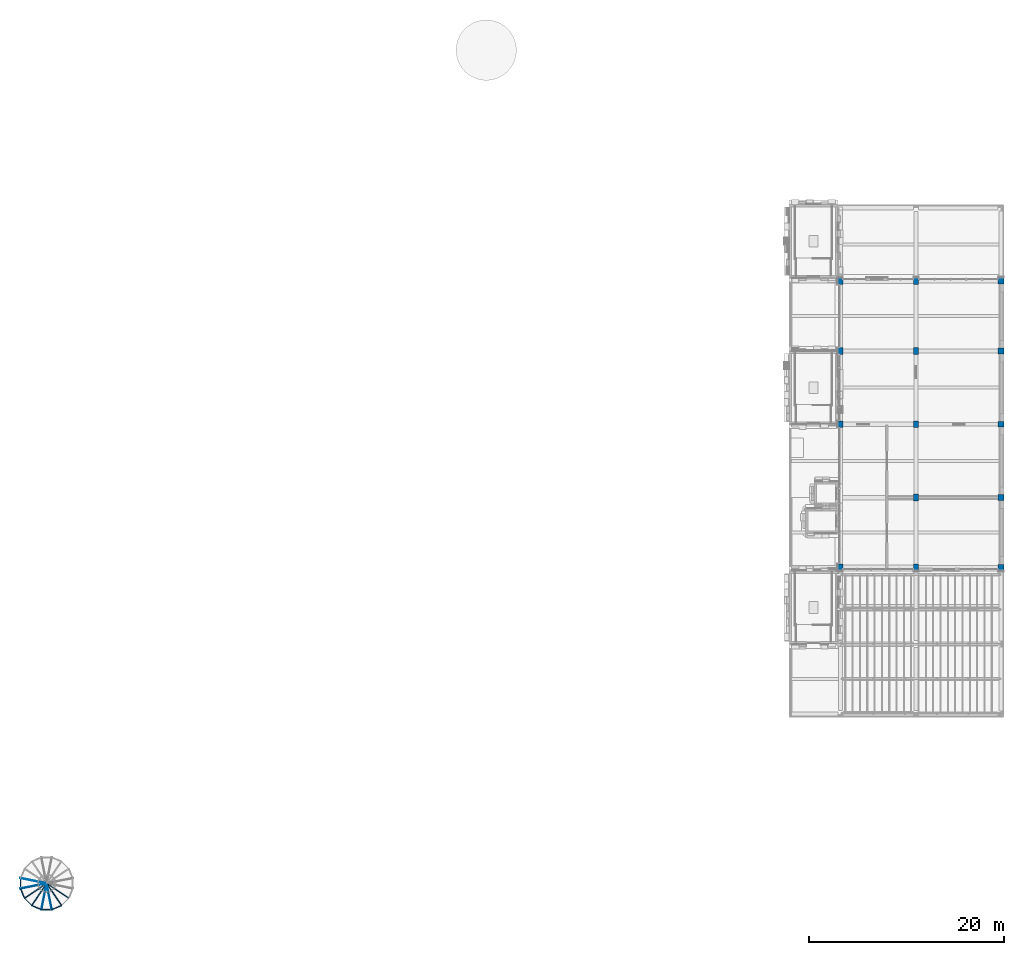
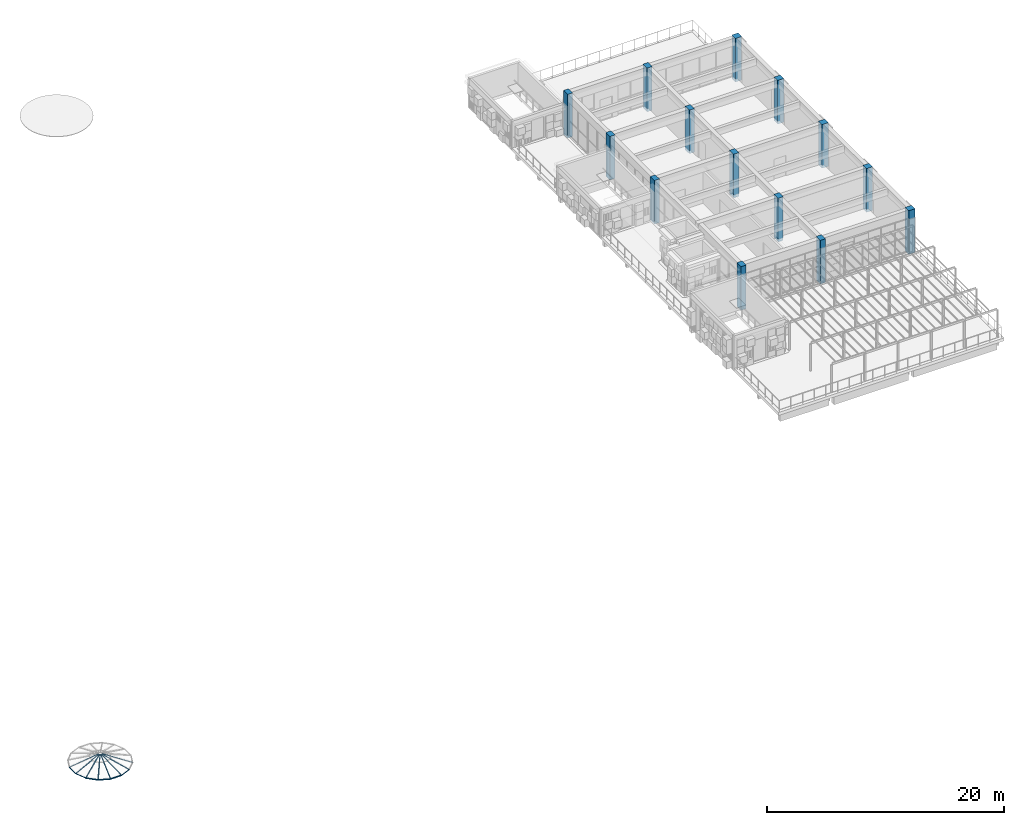
# One storey, part 1 of 26: 20 members, 14 columns.
"""IFC4 building model written with IfcOpenShell, lengths in metres."""

from ifc_helpers import new_model, si_unit, direction, frame, origin, origin_2d, place, context, subcontext, project, spatial, rectangle, hollow_rectangle, hollow_circle, extrude, material, material_profile, profile_set, type_object, element, save


model = new_model("IFC4")

# Units and contexts
model_context = context("Model", 3, precision=1e-05, world=origin(), true_north=direction((0.0, 1.0)))
body_context = subcontext(model_context, "Body", "Model", "MODEL_VIEW")
ifc_project = project(units=[si_unit("LENGTHUNIT", "METRE"), si_unit("AREAUNIT", "SQUARE_METRE"), si_unit("VOLUMEUNIT", "CUBIC_METRE"), si_unit("PLANEANGLEUNIT", "RADIAN"), si_unit("MASSUNIT", "GRAM", prefix="KILO")], contexts=[model_context])

# Site, building, storey
site_placement = place(None, origin())
site = spatial("IfcSite", under=ifc_project, at=site_placement, CompositionType="ELEMENT")
building_placement = place(site_placement, origin())
building = spatial("IfcBuilding", under=site, at=building_placement, Name="Sun Court Science Centre", CompositionType="ELEMENT")
storey_placement = place(building_placement, frame((0.0, 0.0, 29.25)))
storey = spatial("IfcBuildingStorey", under=building, at=storey_placement, Name="L06", CompositionType="ELEMENT", Elevation=29.25)

# Columns
ifc_material_1 = material(Name="Concrete C30/37", Category="concrete")
ifc_material_profile_1 = material_profile(ifc_material_1, rectangle(XDim=0.5, YDim=0.699951171875, at=origin_2d()), Name="RC 500x700")
ifc_profile_set_1 = profile_set([ifc_material_profile_1], Name="Concrete C30/37")
column_type_1 = type_object("IfcColumnType", Name="RC column 500x700", PredefinedType="COLUMN", material=ifc_profile_set_1)
for number, where, z_axis, x_axis, name in (
    (1, (87.25, 43.85009765625, -0.300048828125), (0.0, 0.0, 1.0), (1.0, 0.0, 0.0), "Column 14J L06"),
    (2, (87.25, 58.5, -0.300048828125), (0.0, 0.0, 1.0), (1.0, 0.0, 0.0), "Column 14P L06"),
    (3, (87.25, 66.0, -0.300048828125), (0.0, 0.0, 1.0), (1.0, 0.0, 0.0), "Column 14R L06"),
    (4, (87.25, 73.14990234375, -0.300048828125), (0.0, 0.0, 1.0), (1.0, 0.0, 0.0), "Column 14U L06"),
    (5, (95.0, 43.85009765625, -0.300048828125), (0.0, 0.0, 1.0), (1.0, 0.0, 0.0), "Column 15J L06"),
    (6, (95.0, 51.0, -0.300048828125), (0.0, 0.0, 1.0), (1.0, 0.0, 0.0), "Column 15M L06"),
    (7, (95.0, 58.5, -0.300048828125), (0.0, 0.0, 1.0), (1.0, 0.0, 0.0), "Column 15P L06"),
    (8, (95.0, 66.0, -0.300048828125), (0.0, 0.0, 1.0), (1.0, 0.0, 0.0), "Column 15R L06"),
    (9, (95.0, 73.14990234375, -0.300048828125), (0.0, 0.0, 1.0), (1.0, 0.0, 0.0), "Column 15U L06"),
):
    element("IfcColumn", number, at=place(storey_placement, frame(where, z_axis=z_axis, x_axis=x_axis)), inside=storey, type_object=column_type_1, Name=name, PredefinedType="COLUMN", context=body_context, shape_type="SweptSolid", body=[
        extrude(rectangle(XDim=0.5, YDim=0.699951171875, at=origin_2d()), origin(), (0.0, 0.0, 1.0), 4.5),
    ])
ifc_material_2 = material(Name="Concrete C30/37", Category="concrete")
ifc_material_profile_2 = material_profile(ifc_material_2, rectangle(XDim=0.60009765625, YDim=0.60009765625, at=origin_2d()), Name="RC 600x600")
ifc_profile_set_2 = profile_set([ifc_material_profile_2], Name="Concrete C30/37")
column_type_2 = type_object("IfcColumnType", Name="RC column 600x600", PredefinedType="COLUMN", material=ifc_profile_set_2)
for number, where, z_axis, x_axis, name in (
    (10, (103.699951171875, 43.85009765625, -0.300048828125), (0.0, 0.0, 1.0), (1.0, 0.0, 0.0), "Column 16J L06"),
    (11, (103.699951171875, 51.0, -0.300048828125), (0.0, 0.0, 1.0), (1.0, 0.0, 0.0), "Column 16M L06"),
    (12, (103.699951171875, 58.5, -0.300048828125), (0.0, 0.0, 1.0), (1.0, 0.0, 0.0), "Column 16P L06"),
    (13, (103.699951171875, 66.0, -0.300048828125), (0.0, 0.0, 1.0), (1.0, 0.0, 0.0), "Column 16R L06"),
    (14, (103.699951171875, 73.14990234375, -0.300048828125), (0.0, 0.0, 1.0), (1.0, 0.0, 0.0), "Column 16U L06"),
):
    element("IfcColumn", number, at=place(storey_placement, frame(where, z_axis=z_axis, x_axis=x_axis)), inside=storey, type_object=column_type_2, Name=name, PredefinedType="COLUMN", context=body_context, shape_type="SweptSolid", body=[
        extrude(rectangle(XDim=0.60009765625, YDim=0.60009765625, at=origin_2d()), origin(), (0.0, 0.0, 1.0), 4.5),
    ])

# Members
ifc_material_3 = material(Name="Aluminium EN AW-6063 T6", Category="aluminium")
ifc_material_profile_3 = material_profile(ifc_material_3, hollow_rectangle(XDim=0.050048828125, YDim=0.080078125, WallThickness=0.00390625, InnerFilletRadius=0.00390625, OuterFilletRadius=0.006103515625, at=origin_2d()), Name="AL 50x80x4")
ifc_profile_set_3 = profile_set([ifc_material_profile_3], Name="Aluminium EN AW-6063 T6")
member_type_1 = type_object("IfcMemberType", Name="Glazing bar AL 50x80", PredefinedType="USERDEFINED", material=ifc_profile_set_3)
for number, where, z_axis, x_axis, name in (
    (15, (3.314453125, 12.0341796875, 0.949951171875), (0.936985840717, -0.186369791152, 0.295506066337), (0.195081984185, 0.980786938864, 0.0), "Lantern glazing bar cone 1 08"),
    (16, (3.314453125, 10.9658203125, 0.949951171875), (0.936985840717, 0.186369791152, 0.295506066337), (-0.195081984185, 0.980786938864, 0.0), "Lantern glazing bar cone 1 09"),
):
    element("IfcMember", number, at=place(storey_placement, frame(where, z_axis=z_axis, x_axis=x_axis)), inside=storey, type_object=member_type_1, Name=name, ObjectType="Glazing bar", PredefinedType="USERDEFINED", context=body_context, shape_type="SweptSolid", body=[
        extrude(hollow_rectangle(XDim=0.050048828125, YDim=0.080078125, WallThickness=0.00390625, InnerFilletRadius=0.00390625, OuterFilletRadius=0.006103515625, at=origin_2d()), origin(), (0.0, 0.0, 1.0), 2.708984375),
    ])
for number, where, z_axis, x_axis, name in (
    (17, (3.72314453125, 9.978759765625, 0.949951171875), (0.794343493221, 0.530763831546, 0.295479559191), (-0.555570579074, 0.831469381076, 0.0), "Lantern glazing bar cone 1 10"),
    (18, (4.478759765625, 9.22314453125, 0.949951171875), (0.530763831546, 0.794343493221, 0.295479559191), (-0.831469381076, 0.555570579074, 0.0), "Lantern glazing bar cone 1 11"),
):
    element("IfcMember", number, at=place(storey_placement, frame(where, z_axis=z_axis, x_axis=x_axis)), inside=storey, type_object=member_type_1, Name=name, ObjectType="Glazing bar", PredefinedType="USERDEFINED", context=body_context, shape_type="SweptSolid", body=[
        extrude(hollow_rectangle(XDim=0.050048828125, YDim=0.080078125, WallThickness=0.00390625, InnerFilletRadius=0.00390625, OuterFilletRadius=0.006103515625, at=origin_2d()), origin(), (0.0, 0.0, 1.0), 2.709228515625),
    ])
for number, where, z_axis, x_axis, name in (
    (19, (5.4658203125, 8.814453125, 0.949951171875), (0.186369791152, 0.936985840717, 0.295506066337), (-0.980786938864, 0.195081984185, 0.0), "Lantern glazing bar cone 1 12"),
    (20, (6.5341796875, 8.814453125, 0.949951171875), (-0.186369791152, 0.936985840717, 0.295506066337), (-0.980786938864, -0.195081984185, 0.0), "Lantern glazing bar cone 1 13"),
):
    element("IfcMember", number, at=place(storey_placement, frame(where, z_axis=z_axis, x_axis=x_axis)), inside=storey, type_object=member_type_1, Name=name, ObjectType="Glazing bar", PredefinedType="USERDEFINED", context=body_context, shape_type="SweptSolid", body=[
        extrude(hollow_rectangle(XDim=0.050048828125, YDim=0.080078125, WallThickness=0.00390625, InnerFilletRadius=0.00390625, OuterFilletRadius=0.006103515625, at=origin_2d()), origin(), (0.0, 0.0, 1.0), 2.708984375),
    ])
for number, where, z_axis, x_axis, name in (
    (21, (7.521240234375, 9.22314453125, 0.949951171875), (-0.530763831546, 0.794343493221, 0.295479559191), (-0.831469381076, -0.555570579074, 0.0), "Lantern glazing bar cone 1 14"),
    (22, (8.27685546875, 9.978759765625, 0.949951171875), (-0.794343493221, 0.530763831546, 0.295479559191), (-0.555570579074, -0.831469381076, 0.0), "Lantern glazing bar cone 1 15"),
):
    element("IfcMember", number, at=place(storey_placement, frame(where, z_axis=z_axis, x_axis=x_axis)), inside=storey, type_object=member_type_1, Name=name, ObjectType="Glazing bar", PredefinedType="USERDEFINED", context=body_context, shape_type="SweptSolid", body=[
        extrude(hollow_rectangle(XDim=0.050048828125, YDim=0.080078125, WallThickness=0.00390625, InnerFilletRadius=0.00390625, OuterFilletRadius=0.006103515625, at=origin_2d()), origin(), (0.0, 0.0, 1.0), 2.709228515625),
    ])
ifc_material_4 = material(Name="Steel S355", Category="steel")
ifc_material_profile_4 = material_profile(ifc_material_4, hollow_circle(Radius=0.04443359375, WallThickness=0.0048828125, at=origin_2d()), Name="CHS 88.9x5")
ifc_profile_set_4 = profile_set([ifc_material_profile_4], Name="Steel S355")
member_type_2 = type_object("IfcMemberType", Name="Lantern base ring CHS 88.9x5", PredefinedType="CHORD", material=ifc_profile_set_4)
for number, where, z_axis, x_axis, name in (
    (23, (3.314453125, 12.0341796875, 0.9443359375), (0.0, -1.0, 0.0), (1.0, 0.0, 0.0), "Cone 1 lantern base ring 8"),
    (24, (3.314453125, 10.9658203125, 0.9443359375), (0.382553629487, -0.923933287942, 0.0), (0.923933287942, 0.382553629487, 0.0), "Cone 1 lantern base ring 9"),
):
    element("IfcMember", number, at=place(storey_placement, frame(where, z_axis=z_axis, x_axis=x_axis)), inside=storey, type_object=member_type_2, Name=name, PredefinedType="CHORD", context=body_context, shape_type="SweptSolid", body=[
        extrude(hollow_circle(Radius=0.04443359375, WallThickness=0.0048828125, at=origin_2d()), origin(), (0.0, 0.0, 1.0), 1.068359375),
    ])
member_1_placement = place(storey_placement, frame((3.72314453125, 9.978759765625, 0.9443359375), z_axis=(0.707106781187, -0.707106781187, 0.0), x_axis=(0.707106781187, 0.707106781187, 0.0)))
element("IfcMember", 25, at=member_1_placement, inside=storey, type_object=member_type_2, Name="Cone 1 lantern base ring 10", PredefinedType="CHORD", context=body_context, shape_type="SweptSolid", body=[
    extrude(hollow_circle(Radius=0.04443359375, WallThickness=0.0048828125, at=origin_2d()), origin(), (0.0, 0.0, 1.0), 1.068603515625),
])
for number, where, z_axis, x_axis, name in (
    (26, (4.478759765625, 9.22314453125, 0.9443359375), (0.923933287942, -0.382553629487, 0.0), (0.382553629487, 0.923933287942, 0.0), "Cone 1 lantern base ring 11"),
    (27, (5.4658203125, 8.814453125, 0.9443359375), (1.0, 0.0, 0.0), (0.0, 1.0, 0.0), "Cone 1 lantern base ring 12"),
    (28, (6.5341796875, 8.814453125, 0.9443359375), (0.923933287942, 0.382553629487, 0.0), (-0.382553629487, 0.923933287942, 0.0), "Cone 1 lantern base ring 13"),
):
    element("IfcMember", number, at=place(storey_placement, frame(where, z_axis=z_axis, x_axis=x_axis)), inside=storey, type_object=member_type_2, Name=name, PredefinedType="CHORD", context=body_context, shape_type="SweptSolid", body=[
        extrude(hollow_circle(Radius=0.04443359375, WallThickness=0.0048828125, at=origin_2d()), origin(), (0.0, 0.0, 1.0), 1.068359375),
    ])
ifc_material_5 = material(Name="Steel S355", Category="steel")
ifc_material_profile_5 = material_profile(ifc_material_5, hollow_circle(Radius=0.04443359375, WallThickness=0.0048828125, at=origin_2d()), Name="CHS 88.9x5")
ifc_profile_set_5 = profile_set([ifc_material_profile_5], Name="Steel S355")
member_type_3 = type_object("IfcMemberType", Name="Lantern rafter CHS 88.9x5", PredefinedType="RAFTER", material=ifc_profile_set_5)
member_2_placement = place(storey_placement, frame((3.314453125, 10.9658203125, 0.9443359375), z_axis=(0.943177088287, 0.187639103832, 0.274241767139), x_axis=(-0.195119846833, 0.98077940709, 0.0)))
element("IfcMember", 29, at=member_2_placement, inside=storey, type_object=member_type_3, Name="Cone 1 lantern rafter 9", PredefinedType="RAFTER", context=body_context, shape_type="SweptSolid", body=[
    extrude(hollow_circle(Radius=0.04443359375, WallThickness=0.0048828125, at=origin_2d()), origin(), (0.0, 0.0, 1.0), 1.911376953125),
])
for number, where, z_axis, x_axis, name in (
    (30, (3.72314453125, 9.978759765625, 0.9443359375), (0.799627820623, 0.534234654794, 0.274205547177), (-0.555527405312, 0.831498227267, 0.0), "Cone 1 lantern rafter 10"),
    (31, (4.478759765625, 9.22314453125, 0.9443359375), (0.534234654794, 0.799627820623, 0.274205547177), (-0.831498227267, 0.555527405312, 0.0), "Cone 1 lantern rafter 11"),
):
    element("IfcMember", number, at=place(storey_placement, frame(where, z_axis=z_axis, x_axis=x_axis)), inside=storey, type_object=member_type_3, Name=name, PredefinedType="RAFTER", context=body_context, shape_type="SweptSolid", body=[
        extrude(hollow_circle(Radius=0.04443359375, WallThickness=0.0048828125, at=origin_2d()), origin(), (0.0, 0.0, 1.0), 1.91162109375),
    ])
for number, where, z_axis, x_axis, name in (
    (32, (5.4658203125, 8.814453125, 0.9443359375), (0.187639103832, 0.943177088287, 0.274241767139), (-0.98077940709, 0.195119846833, 0.0), "Cone 1 lantern rafter 12"),
    (33, (6.5341796875, 8.814453125, 0.9443359375), (-0.187639103832, 0.943177088287, 0.274241767139), (-0.98077940709, -0.195119846833, 0.0), "Cone 1 lantern rafter 13"),
):
    element("IfcMember", number, at=place(storey_placement, frame(where, z_axis=z_axis, x_axis=x_axis)), inside=storey, type_object=member_type_3, Name=name, PredefinedType="RAFTER", context=body_context, shape_type="SweptSolid", body=[
        extrude(hollow_circle(Radius=0.04443359375, WallThickness=0.0048828125, at=origin_2d()), origin(), (0.0, 0.0, 1.0), 1.911376953125),
    ])
member_3_placement = place(storey_placement, frame((7.521240234375, 9.22314453125, 0.9443359375), z_axis=(-0.534234654794, 0.799627820623, 0.274205547177), x_axis=(-0.831498227267, -0.555527405312, 0.0)))
element("IfcMember", 34, at=member_3_placement, inside=storey, type_object=member_type_3, Name="Cone 1 lantern rafter 14", PredefinedType="RAFTER", context=body_context, shape_type="SweptSolid", body=[
    extrude(hollow_circle(Radius=0.04443359375, WallThickness=0.0048828125, at=origin_2d()), origin(), (0.0, 0.0, 1.0), 1.91162109375),
])

save(model, "model.ifc")
